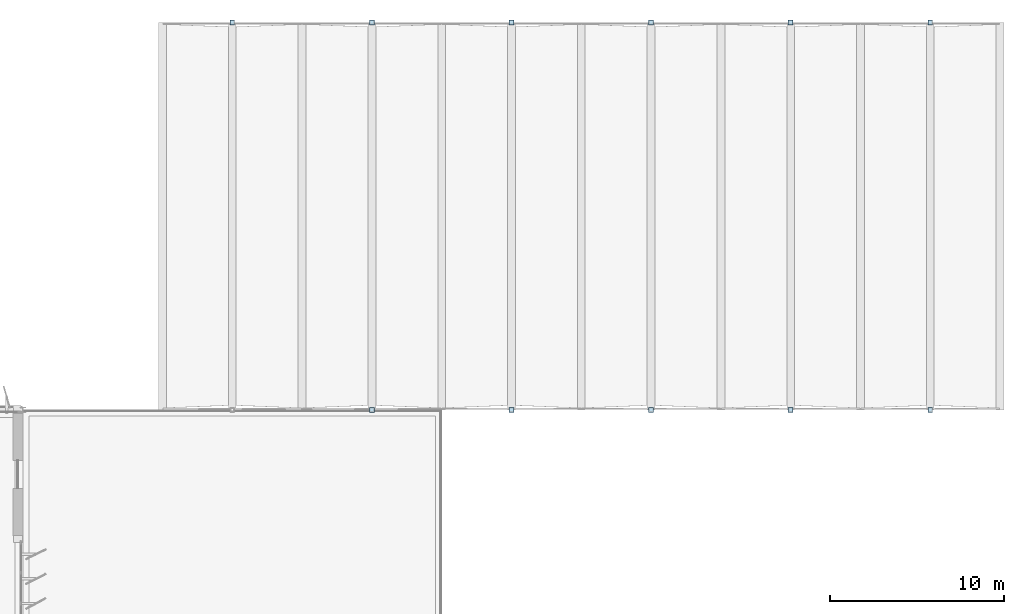
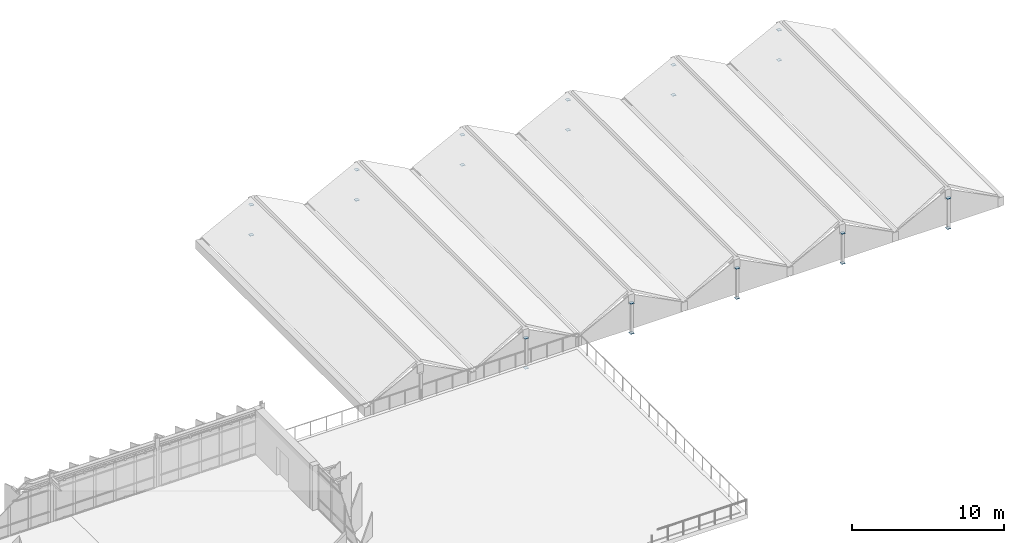
# One storey, part 26 of 35: 22 plates.
"""IFC4 building model written with IfcOpenShell, lengths in metres."""

from ifc_helpers import new_model, si_unit, direction, frame, origin, origin_2d, place, context, subcontext, project, spatial, rectangle, extrude, material, layer, layer_set, type_object, element, save


model = new_model("IFC4")

# Units and contexts
model_context = context("Model", 3, precision=1e-05, world=origin(), true_north=direction((0.0, 1.0)))
body_context = subcontext(model_context, "Body", "Model", "MODEL_VIEW")
ifc_project = project(units=[si_unit("LENGTHUNIT", "METRE"), si_unit("AREAUNIT", "SQUARE_METRE"), si_unit("VOLUMEUNIT", "CUBIC_METRE"), si_unit("PLANEANGLEUNIT", "RADIAN"), si_unit("MASSUNIT", "GRAM", prefix="KILO")], contexts=[model_context])

# Site, building, storey
site_placement = place(None, origin())
site = spatial("IfcSite", under=ifc_project, at=site_placement, CompositionType="ELEMENT")
building_placement = place(site_placement, origin())
building = spatial("IfcBuilding", under=site, at=building_placement, Name="Valkorina Park Police Headquarters", CompositionType="ELEMENT")
storey_placement = place(building_placement, frame((0.0, 0.0, 27.199951171875)))
storey = spatial("IfcBuildingStorey", under=building, at=storey_placement, Name="L07", CompositionType="ELEMENT", Elevation=27.199951171875)

# Plates
ifc_material = material(Name="Steel S355", Category="steel")
ifc_layer = layer(ifc_material, 0.02001953125)
ifc_layer_set = layer_set([ifc_layer], Name="Steel S355")
plate_type = type_object("IfcPlateType", Name="PL-ENDCAP-20", PredefinedType="USERDEFINED", material=ifc_layer_set)
for number, where, z_axis, x_axis, name in (
    (1, (84.800048828125, 81.39990234375, -0.35986328125), (0.0, 0.0, 1.0), (1.0, 0.0, 0.0), "V2 Gable Strut Base End Cap Plate 61"),
    (2, (84.800048828125, 81.39990234375, 2.053955078125), (0.0, 0.0, 1.0), (1.0, 0.0, 0.0), "V2 Gable Strut Top End Cap Plate 62"),
    (3, (92.800048828125, 59.199951171875, -0.35986328125), (0.0, 0.0, 1.0), (1.0, 0.0, 0.0), "V2 Gable Strut Base End Cap Plate 63"),
    (4, (92.800048828125, 59.199951171875, 2.053955078125), (0.0, 0.0, 1.0), (1.0, 0.0, 0.0), "V2 Gable Strut Top End Cap Plate 64"),
    (5, (92.800048828125, 81.39990234375, -0.35986328125), (0.0, 0.0, 1.0), (1.0, 0.0, 0.0), "V2 Gable Strut Base End Cap Plate 65"),
    (6, (92.800048828125, 81.39990234375, 2.053955078125), (0.0, 0.0, 1.0), (1.0, 0.0, 0.0), "V2 Gable Strut Top End Cap Plate 66"),
    (7, (100.800048828125, 59.199951171875, -0.35986328125), (0.0, 0.0, 1.0), (1.0, 0.0, 0.0), "V2 Gable Strut Base End Cap Plate 67"),
    (8, (100.800048828125, 59.199951171875, 2.053955078125), (0.0, 0.0, 1.0), (1.0, 0.0, 0.0), "V2 Gable Strut Top End Cap Plate 68"),
    (9, (100.800048828125, 81.39990234375, -0.35986328125), (0.0, 0.0, 1.0), (1.0, 0.0, 0.0), "V2 Gable Strut Base End Cap Plate 69"),
    (10, (100.800048828125, 81.39990234375, 2.053955078125), (0.0, 0.0, 1.0), (1.0, 0.0, 0.0), "V2 Gable Strut Top End Cap Plate 70"),
    (11, (108.800048828125, 59.199951171875, -0.35986328125), (0.0, 0.0, 1.0), (1.0, 0.0, 0.0), "V2 Gable Strut Base End Cap Plate 71"),
    (12, (108.800048828125, 59.199951171875, 2.053955078125), (0.0, 0.0, 1.0), (1.0, 0.0, 0.0), "V2 Gable Strut Top End Cap Plate 72"),
    (13, (108.800048828125, 81.39990234375, -0.35986328125), (0.0, 0.0, 1.0), (1.0, 0.0, 0.0), "V2 Gable Strut Base End Cap Plate 73"),
    (14, (108.800048828125, 81.39990234375, 2.053955078125), (0.0, 0.0, 1.0), (1.0, 0.0, 0.0), "V2 Gable Strut Top End Cap Plate 74"),
    (15, (116.800048828125, 59.199951171875, -0.35986328125), (0.0, 0.0, 1.0), (1.0, 0.0, 0.0), "V2 Gable Strut Base End Cap Plate 75"),
    (16, (116.800048828125, 59.199951171875, 2.053955078125), (0.0, 0.0, 1.0), (1.0, 0.0, 0.0), "V2 Gable Strut Top End Cap Plate 76"),
    (17, (116.800048828125, 81.39990234375, -0.35986328125), (0.0, 0.0, 1.0), (1.0, 0.0, 0.0), "V2 Gable Strut Base End Cap Plate 77"),
    (18, (116.800048828125, 81.39990234375, 2.053955078125), (0.0, 0.0, 1.0), (1.0, 0.0, 0.0), "V2 Gable Strut Top End Cap Plate 78"),
    (19, (124.800048828125, 59.199951171875, -0.35986328125), (0.0, 0.0, 1.0), (1.0, 0.0, 0.0), "V2 Gable Strut Base End Cap Plate 79"),
    (20, (124.800048828125, 59.199951171875, 2.053955078125), (0.0, 0.0, 1.0), (1.0, 0.0, 0.0), "V2 Gable Strut Top End Cap Plate 80"),
    (21, (124.800048828125, 81.39990234375, -0.35986328125), (0.0, 0.0, 1.0), (1.0, 0.0, 0.0), "V2 Gable Strut Base End Cap Plate 81"),
    (22, (124.800048828125, 81.39990234375, 2.053955078125), (0.0, 0.0, 1.0), (1.0, 0.0, 0.0), "V2 Gable Strut Top End Cap Plate 82"),
):
    element("IfcPlate", number, at=place(storey_placement, frame(where, z_axis=z_axis, x_axis=x_axis)), inside=storey, type_object=plate_type, Name=name, ObjectType="END CAP PLATE", PredefinedType="USERDEFINED", context=body_context, shape_type="SweptSolid", body=[
        extrude(rectangle(XDim=0.280029296875, YDim=0.280029296875, at=origin_2d()), origin(), (0.0, 0.0, 1.0), 0.02001953125),
    ])

save(model, "model.ifc")
